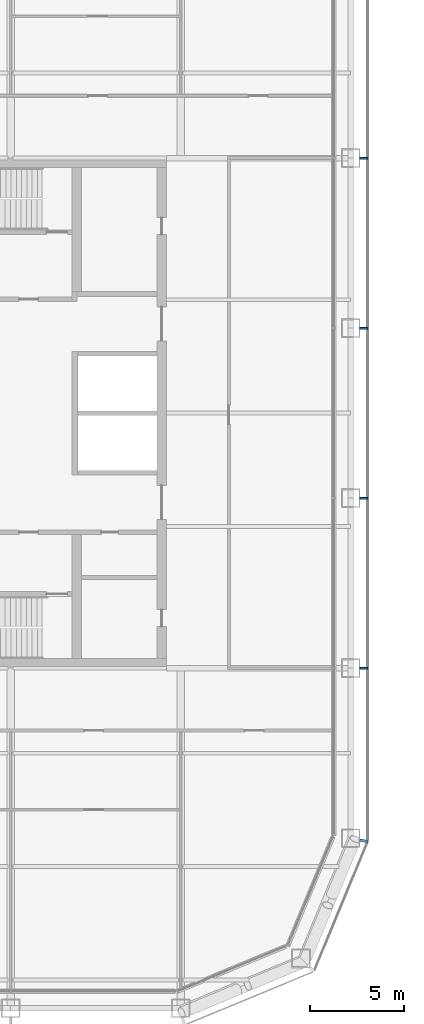
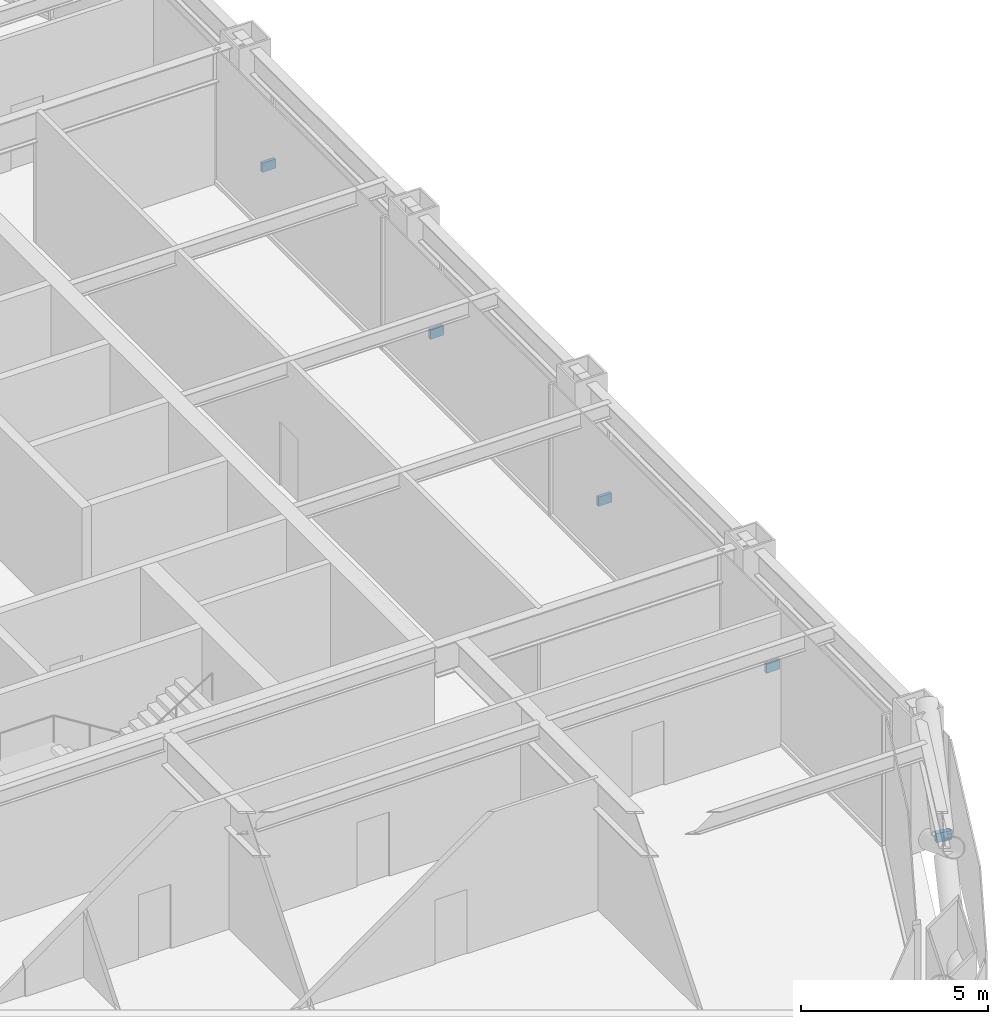
# One storey, part 21 of 30: 5 discrete accessories.
"""IFC4 building model written with IfcOpenShell, lengths in metres."""

from ifc_helpers import new_model, si_unit, direction, frame, origin, origin_2d, place, context, subcontext, project, spatial, rectangle, extrude, material, type_object, element, save


model = new_model("IFC4")

# Units and contexts
model_context = context("Model", 3, precision=1e-05, world=origin(), true_north=direction((0.0, 1.0)))
body_context = subcontext(model_context, "Body", "Model", "MODEL_VIEW")
ifc_project = project(units=[si_unit("LENGTHUNIT", "METRE"), si_unit("AREAUNIT", "SQUARE_METRE"), si_unit("VOLUMEUNIT", "CUBIC_METRE"), si_unit("PLANEANGLEUNIT", "RADIAN"), si_unit("MASSUNIT", "GRAM", prefix="KILO")], contexts=[model_context])

# Site, building, storey
site_placement = place(None, origin())
site = spatial("IfcSite", under=ifc_project, at=site_placement, CompositionType="ELEMENT")
building_placement = place(site_placement, origin())
building = spatial("IfcBuilding", under=site, at=building_placement, Name="Siwar Civic Tower", CompositionType="ELEMENT")
storey_placement = place(building_placement, frame((0.0, 0.0, 80.699951171875)))
storey = spatial("IfcBuildingStorey", under=building, at=storey_placement, Name="L17", CompositionType="ELEMENT", Elevation=80.699951171875)

# Discrete accessories
ifc_material = material(Name="Stainless steel 316", Category="steel")
discrete_accessory_type = type_object("IfcDiscreteAccessoryType", Name="ENV-BRACKET", PredefinedType="BRACKET", material=ifc_material)
for number, where, z_axis, x_axis, name in (
    (1, (32.18994140625, -13.5, -0.14990234375), (0.0, 0.0, 1.0), (1.0, 0.0, 0.0), "Bracket outer skin joint E-01"),
    (2, (32.18994140625, -4.5, -0.14990234375), (0.0, 0.0, 1.0), (1.0, 0.0, 0.0), "Bracket outer skin joint E-02"),
    (3, (32.18994140625, 4.5, -0.14990234375), (0.0, 0.0, 1.0), (1.0, 0.0, 0.0), "Bracket outer skin joint E-03"),
    (4, (32.18994140625, 13.5, -0.14990234375), (0.0, 0.0, 1.0), (1.0, 0.0, 0.0), "Bracket outer skin joint E-04"),
):
    element("IfcDiscreteAccessory", number, at=place(storey_placement, frame(where, z_axis=z_axis, x_axis=x_axis)), inside=storey, type_object=discrete_accessory_type, Name=name, PredefinedType="BRACKET", context=body_context, shape_type="SweptSolid", body=[
        extrude(rectangle(XDim=0.419921875, YDim=0.10009765625, at=origin_2d()), origin(), (0.0, 0.0, 1.0), 0.300048828125),
    ])
discrete_accessory_placement = place(storey_placement, frame((32.190185546875, -22.63720703125, -0.14990234375), z_axis=(0.0, 0.0, 1.0), x_axis=(0.980785280403, -0.195090322016, 0.0)))
element("IfcDiscreteAccessory", 5, at=discrete_accessory_placement, inside=storey, type_object=discrete_accessory_type, Name="Bracket outer skin joint V03", PredefinedType="BRACKET", context=body_context, shape_type="SweptSolid", body=[
    extrude(rectangle(XDim=0.427734375, YDim=0.13720703125, at=origin_2d()), origin(), (0.0, 0.0, 1.0), 0.300048828125),
])

save(model, "model.ifc")
